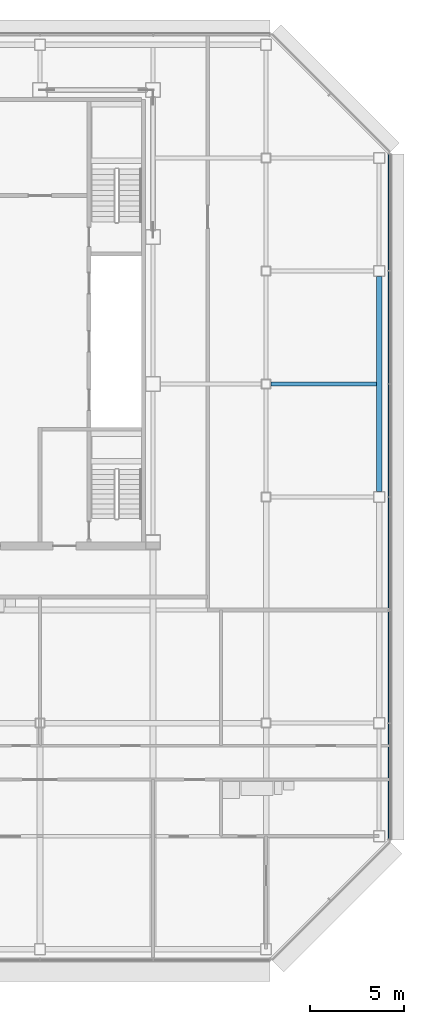
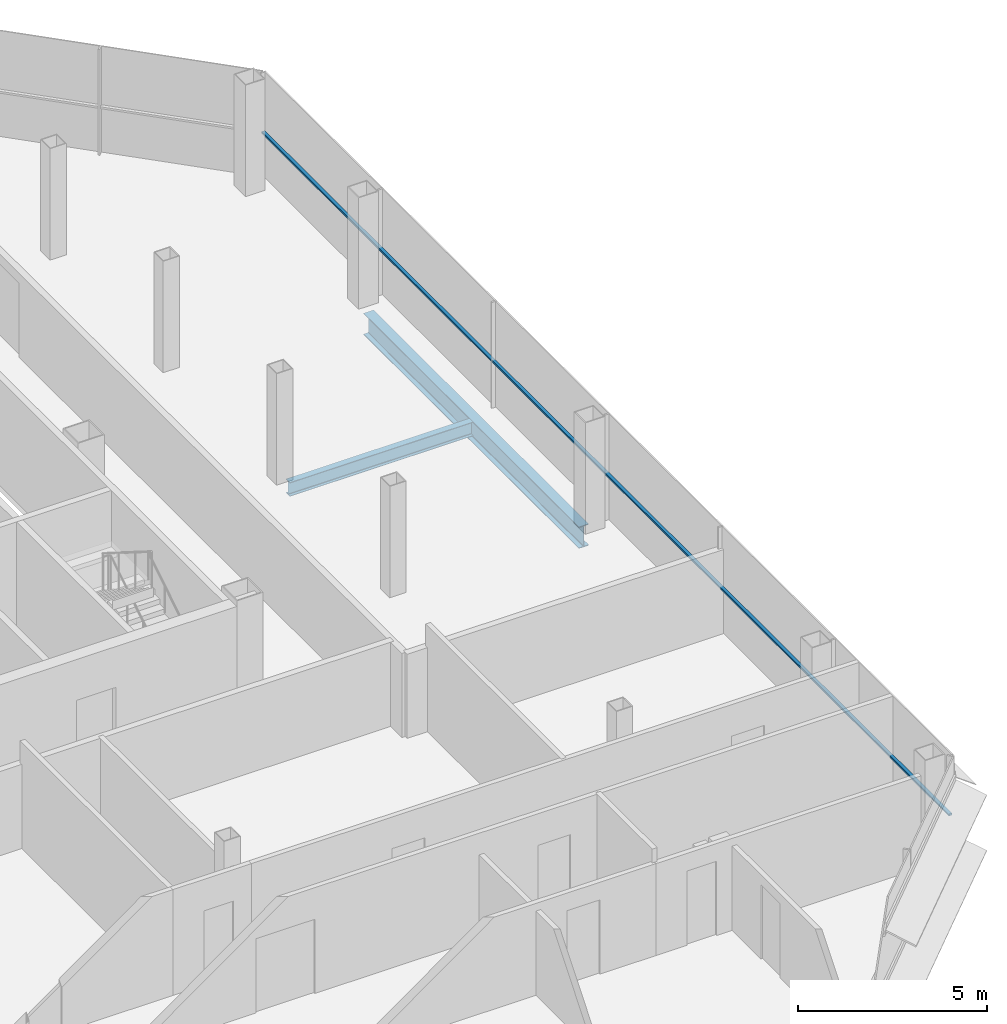
# One storey, part 18 of 28: 2 beams, 1 member, 1 element without a shape of its own.
"""IFC4 building model written with IfcOpenShell, lengths in metres."""

from ifc_helpers import new_model, si_unit, direction, frame, origin, origin_2d, place, context, subcontext, project, spatial, rectangle, i_section, extrude, material, material_profile, profile_set, type_object, element, aggregate, save


model = new_model("IFC4")

# Units and contexts
model_context = context("Model", 3, precision=1e-05, world=origin(), true_north=direction((0.0, 1.0)))
body_context = subcontext(model_context, "Body", "Model", "MODEL_VIEW")
ifc_project = project(units=[si_unit("LENGTHUNIT", "METRE"), si_unit("AREAUNIT", "SQUARE_METRE"), si_unit("VOLUMEUNIT", "CUBIC_METRE"), si_unit("PLANEANGLEUNIT", "RADIAN"), si_unit("MASSUNIT", "GRAM", prefix="KILO")], contexts=[model_context])

# Site, building, storey
site_placement = place(None, origin())
site = spatial("IfcSite", under=ifc_project, at=site_placement, CompositionType="ELEMENT")
building_placement = place(site_placement, origin())
building = spatial("IfcBuilding", under=site, at=building_placement, Name="Sorahane Residences", CompositionType="ELEMENT")
storey_placement = place(building_placement, frame((0.0, 0.0, 273.800048828125)))
storey = spatial("IfcBuildingStorey", under=building, at=storey_placement, Name="L65", CompositionType="ELEMENT", Elevation=273.800048828125)

# Curtain wall, member
ifc_material_1 = material(Name="Dark low-e glass and black anodised aluminium", Category="aluminium")
curtain_wall_type = type_object("IfcCurtainWallType", Name="Curtain wall CW-1 Typical unitised wall", PredefinedType="NOTDEFINED", material=ifc_material_1)
curtain_wall_placement = place(storey_placement, origin())
curtain_wall = element("IfcCurtainWall", 1, at=curtain_wall_placement, inside=storey, type_object=curtain_wall_type, Name="CW-1 curtain wall L65 E1", PredefinedType="NOTDEFINED")
ifc_material_2 = material(Name="Black anodised aluminium", Category="aluminium")
ifc_material_profile_1 = material_profile(ifc_material_2, rectangle(XDim=0.10009765625, YDim=0.06005859375, at=origin_2d()), Name="Curtain wall transom CW-1 black anodised aluminium 60x100")
ifc_profile_set_1 = profile_set([ifc_material_profile_1], Name="Black anodised aluminium")
member_type = type_object("IfcMemberType", Name="Curtain wall transom CW-1 black anodised aluminium 60x100", PredefinedType="USERDEFINED", material=ifc_profile_set_1)
member_placement = place(storey_placement, frame((54.530029296875, 5.801513671875, 1.5), z_axis=(0.0, 1.0, 0.0), x_axis=(-1.0, 0.0, 0.0)))
member = element("IfcMember", 2, at=member_placement, type_object=member_type, Name="CW-1 transom L65 E1", ObjectType="TRANSOM", PredefinedType="USERDEFINED", context=body_context, shape_type="SweptSolid", body=[
    extrude(rectangle(XDim=0.10009765625, YDim=0.06005859375, at=origin_2d()), origin(), (0.0, 0.0, 1.0), 36.39697265625),
])
aggregate(curtain_wall, [member])

# Beams
ifc_material_3 = material(Name="Steel Q355B", Category="steel")
ifc_material_profile_2 = material_profile(ifc_material_3, i_section(OverallWidth=0.199951171875, OverallDepth=0.449951171875, WebThickness=0.009033203125, FlangeThickness=0.013916015625, FilletRadius=0.02001953125, at=origin_2d()), Name="HN 450x200x9x14")
ifc_profile_set_2 = profile_set([ifc_material_profile_2], Name="Steel Q355B")
beam_type_1 = type_object("IfcBeamType", Name="Steel floor beam HN 450x200x9x14 Q355B", PredefinedType="BEAM", material=ifc_profile_set_2)
beam_1_placement = place(storey_placement, frame((48.25, 30.0, -0.405029296875), z_axis=(1.0, 0.0, 0.0), x_axis=(0.0, 1.0, 0.0)))
element("IfcBeam", 3, at=beam_1_placement, inside=storey, type_object=beam_type_1, Name="Beam L65 088", PredefinedType="BEAM", context=body_context, shape_type="SweptSolid", body=[
    extrude(i_section(OverallWidth=0.199951171875, OverallDepth=0.449951171875, WebThickness=0.009033203125, FlangeThickness=0.013916015625, FilletRadius=0.02001953125, at=origin_2d()), origin(), (0.0, 0.0, 1.0), 5.60009765625),
])
ifc_material_4 = material(Name="Steel Q355B", Category="steel")
ifc_material_profile_3 = material_profile(ifc_material_4, i_section(OverallWidth=0.300048828125, OverallDepth=0.699951171875, WebThickness=0.012939453125, FlangeThickness=0.02392578125, FilletRadius=0.028076171875, at=origin_2d()), Name="HN 700x300x13x24")
ifc_profile_set_3 = profile_set([ifc_material_profile_3], Name="Steel Q355B")
beam_type_2 = type_object("IfcBeamType", Name="Steel floor beam HN 700x300x13x24 Q355B", PredefinedType="BEAM", material=ifc_profile_set_3)
beam_2_placement = place(storey_placement, frame((54.0, 24.300048828125, -0.530029296875), z_axis=(0.0, 1.0, 0.0), x_axis=(-1.0, 0.0, 0.0)))
element("IfcBeam", 4, at=beam_2_placement, inside=storey, type_object=beam_type_2, Name="Beam L65 066", PredefinedType="BEAM", context=body_context, shape_type="SweptSolid", body=[
    extrude(i_section(OverallWidth=0.300048828125, OverallDepth=0.699951171875, WebThickness=0.012939453125, FlangeThickness=0.02392578125, FilletRadius=0.028076171875, at=origin_2d()), origin(), (0.0, 0.0, 1.0), 11.39990234375),
])

save(model, "model.ifc")
